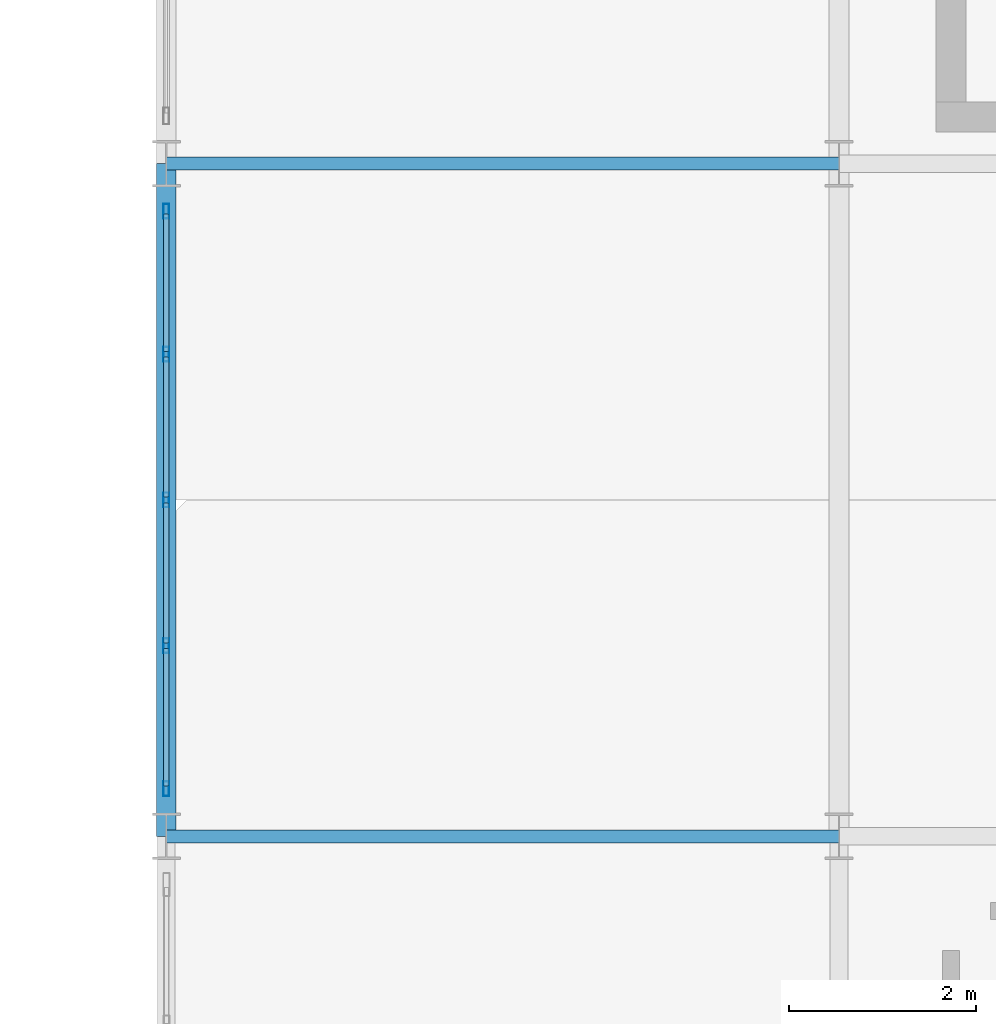
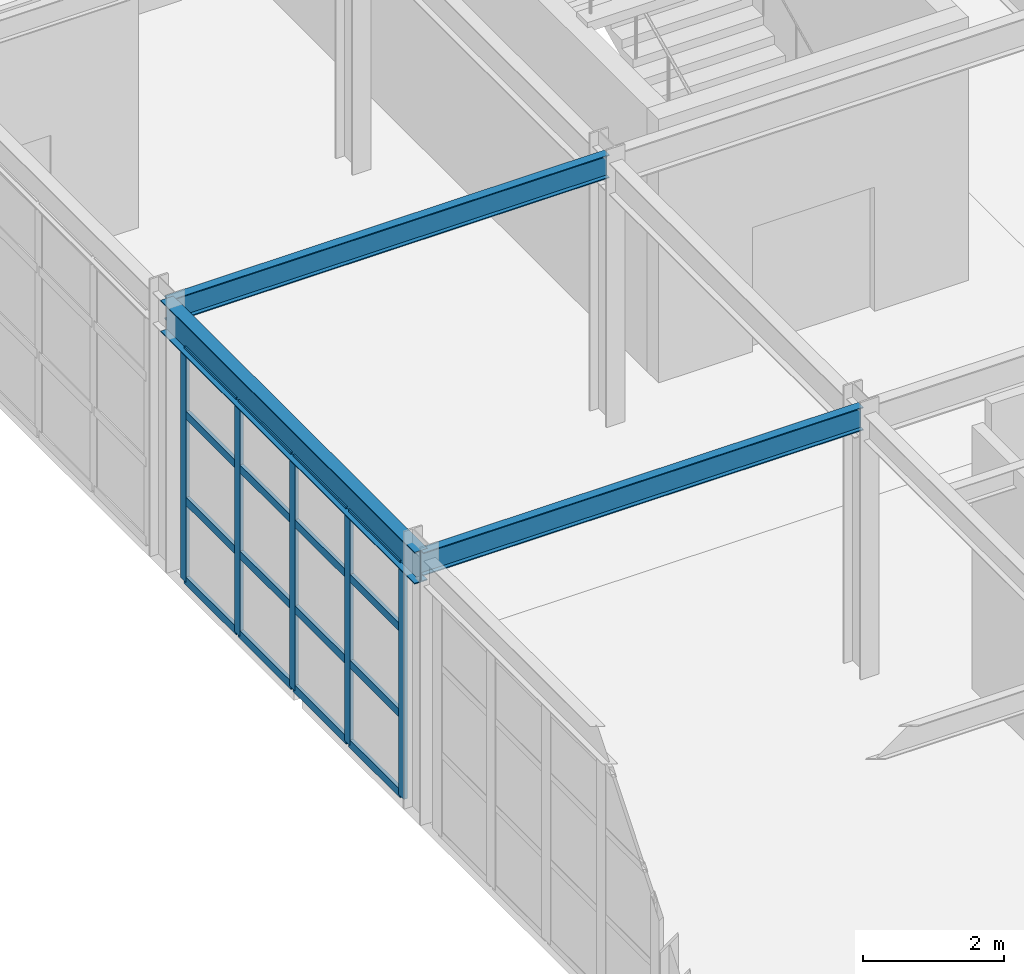
# One storey, part 37 of 121: 21 members, 3 beams, 1 element without a shape of its own.
"""IFC4 building model written with IfcOpenShell, lengths in metres."""

from ifc_helpers import new_model, si_unit, direction, frame, origin, origin_2d, place, context, subcontext, project, spatial, hollow_rectangle, i_section, extrude, material, layer, layer_set, material_profile, profile_set, type_object, element, aggregate, save


model = new_model("IFC4")

# Units and contexts
model_context = context("Model", 3, precision=1e-05, world=origin(), true_north=direction((0.0, 1.0)))
body_context = subcontext(model_context, "Body", "Model", "MODEL_VIEW")
ifc_project = project(units=[si_unit("LENGTHUNIT", "METRE"), si_unit("AREAUNIT", "SQUARE_METRE"), si_unit("VOLUMEUNIT", "CUBIC_METRE"), si_unit("PLANEANGLEUNIT", "RADIAN"), si_unit("MASSUNIT", "GRAM", prefix="KILO")], contexts=[model_context])

# Site, building, storey
site_placement = place(None, origin())
site = spatial("IfcSite", under=ifc_project, at=site_placement, CompositionType="ELEMENT")
building_placement = place(site_placement, origin())
building = spatial("IfcBuilding", under=site, at=building_placement, Name="Solvadek Multi-Sports Hall", CompositionType="ELEMENT")
storey_placement = place(building_placement, frame((0.0, 0.0, 4.800048828125)))
storey = spatial("IfcBuildingStorey", under=building, at=storey_placement, Name="L01", CompositionType="ELEMENT", Elevation=4.800048828125)

# Curtain wall, members
ifc_material_1 = material(Name="Anodised aluminium", Category="aluminium")
ifc_layer = layer(ifc_material_1, 0.159912109375, Name="Anodised aluminium")
ifc_layer_set = layer_set([ifc_layer], Name="Anodised aluminium")
curtain_wall_type = type_object("IfcCurtainWallType", Name="ENV-CW-624X402", PredefinedType="USERDEFINED", material=ifc_layer_set)
curtain_wall_placement = place(storey_placement, origin())
curtain_wall = element("IfcCurtainWall", 1, at=curtain_wall_placement, inside=storey, type_object=curtain_wall_type, Name="L01 Perimeter Bay Curtain Wall #195", ObjectType="CURTAIN WALL", PredefinedType="USERDEFINED")
ifc_material_profile_1 = material_profile(ifc_material_1, hollow_rectangle(XDim=0.06005859375, YDim=0.159912109375, WallThickness=0.00390625, at=origin_2d()), Name="ALU-M 160x60x4")
ifc_profile_set_1 = profile_set([ifc_material_profile_1], Name="Anodised aluminium")
member_type_1 = type_object("IfcMemberType", Name="ENV-CWM-01", PredefinedType="MULLION", material=ifc_profile_set_1)
member_1_placement = place(storey_placement, frame((57.60009765625, 35.31005859375, 0.0), z_axis=(0.0, 0.0, 1.0), x_axis=(-1.0, 0.0, 0.0)))
member_1 = element("IfcMember", 2, at=member_1_placement, type_object=member_type_1, Name="CW-55 mullion 1", PredefinedType="MULLION", context=body_context, shape_type="SweptSolid", body=[
    extrude(hollow_rectangle(XDim=0.06005859375, YDim=0.159912109375, WallThickness=0.00390625, at=origin_2d()), origin(), (0.0, 0.0, 1.0), 4.02490234375),
])
member_2_placement = place(storey_placement, frame((57.60009765625, 36.840087890625, 0.0), z_axis=(0.0, 0.0, 1.0), x_axis=(-1.0, 0.0, 0.0)))
member_2 = element("IfcMember", 3, at=member_2_placement, type_object=member_type_1, Name="CW-55 mullion 2", PredefinedType="MULLION", context=body_context, shape_type="SweptSolid", body=[
    extrude(hollow_rectangle(XDim=0.06005859375, YDim=0.159912109375, WallThickness=0.00390625, at=origin_2d()), origin(), (0.0, 0.0, 1.0), 4.02490234375),
])
member_3_placement = place(storey_placement, frame((57.60009765625, 38.39990234375, 0.0), z_axis=(0.0, 0.0, 1.0), x_axis=(-1.0, 0.0, 0.0)))
member_3 = element("IfcMember", 4, at=member_3_placement, type_object=member_type_1, Name="CW-55 mullion 3", PredefinedType="MULLION", context=body_context, shape_type="SweptSolid", body=[
    extrude(hollow_rectangle(XDim=0.06005859375, YDim=0.159912109375, WallThickness=0.00390625, at=origin_2d()), origin(), (0.0, 0.0, 1.0), 4.02490234375),
])
member_4_placement = place(storey_placement, frame((57.60009765625, 39.9599609375, 0.0), z_axis=(0.0, 0.0, 1.0), x_axis=(-1.0, 0.0, 0.0)))
member_4 = element("IfcMember", 5, at=member_4_placement, type_object=member_type_1, Name="CW-55 mullion 4", PredefinedType="MULLION", context=body_context, shape_type="SweptSolid", body=[
    extrude(hollow_rectangle(XDim=0.06005859375, YDim=0.159912109375, WallThickness=0.00390625, at=origin_2d()), origin(), (0.0, 0.0, 1.0), 4.02490234375),
])
member_5_placement = place(storey_placement, frame((57.60009765625, 41.489990234375, 0.0), z_axis=(0.0, 0.0, 1.0), x_axis=(-1.0, 0.0, 0.0)))
member_5 = element("IfcMember", 6, at=member_5_placement, type_object=member_type_1, Name="CW-55 mullion 5", PredefinedType="MULLION", context=body_context, shape_type="SweptSolid", body=[
    extrude(hollow_rectangle(XDim=0.06005859375, YDim=0.159912109375, WallThickness=0.00390625, at=origin_2d()), origin(), (0.0, 0.0, 1.0), 4.02490234375),
])
ifc_material_profile_2 = material_profile(ifc_material_1, hollow_rectangle(XDim=0.06005859375, YDim=0.139892578125, WallThickness=0.00390625, at=origin_2d()), Name="ALU-T 140x60x4")
ifc_profile_set_2 = profile_set([ifc_material_profile_2], Name="Anodised aluminium")
member_type_2 = type_object("IfcMemberType", Name="ENV-CWT-02", PredefinedType="USERDEFINED", material=ifc_profile_set_2)
member_6_placement = place(storey_placement, frame((57.60009765625, 35.340087890625, 0.030029296875), z_axis=(0.0, 1.0, 0.0), x_axis=(-1.0, 0.0, 0.0)))
member_6 = element("IfcMember", 7, at=member_6_placement, type_object=member_type_2, Name="CW-55 transom 1.1", ObjectType="TRANSOM", PredefinedType="USERDEFINED", context=body_context, shape_type="SweptSolid", body=[
    extrude(hollow_rectangle(XDim=0.06005859375, YDim=0.139892578125, WallThickness=0.00390625, at=origin_2d()), origin(), (0.0, 0.0, 1.0), 1.469970703125),
])
member_7_placement = place(storey_placement, frame((57.60009765625, 35.340087890625, 1.408935546875), z_axis=(0.0, 1.0, 0.0), x_axis=(-1.0, 0.0, 0.0)))
member_7 = element("IfcMember", 8, at=member_7_placement, type_object=member_type_2, Name="CW-55 transom 1.2", ObjectType="TRANSOM", PredefinedType="USERDEFINED", context=body_context, shape_type="SweptSolid", body=[
    extrude(hollow_rectangle(XDim=0.06005859375, YDim=0.139892578125, WallThickness=0.00390625, at=origin_2d()), origin(), (0.0, 0.0, 1.0), 1.469970703125),
])
member_8_placement = place(storey_placement, frame((57.60009765625, 35.340087890625, 2.89794921875), z_axis=(0.0, 1.0, 0.0), x_axis=(-1.0, 0.0, 0.0)))
member_8 = element("IfcMember", 9, at=member_8_placement, type_object=member_type_2, Name="CW-55 transom 1.3", ObjectType="TRANSOM", PredefinedType="USERDEFINED", context=body_context, shape_type="SweptSolid", body=[
    extrude(hollow_rectangle(XDim=0.06005859375, YDim=0.139892578125, WallThickness=0.00390625, at=origin_2d()), origin(), (0.0, 0.0, 1.0), 1.469970703125),
])
member_9_placement = place(storey_placement, frame((57.60009765625, 35.340087890625, 3.994873046875), z_axis=(0.0, 1.0, 0.0), x_axis=(-1.0, 0.0, 0.0)))
member_9 = element("IfcMember", 10, at=member_9_placement, type_object=member_type_2, Name="CW-55 transom 1.4", ObjectType="TRANSOM", PredefinedType="USERDEFINED", context=body_context, shape_type="SweptSolid", body=[
    extrude(hollow_rectangle(XDim=0.06005859375, YDim=0.139892578125, WallThickness=0.00390625, at=origin_2d()), origin(), (0.0, 0.0, 1.0), 1.469970703125),
])
member_10_placement = place(storey_placement, frame((57.60009765625, 36.8701171875, 0.030029296875), z_axis=(0.0, 1.0, 0.0), x_axis=(-1.0, 0.0, 0.0)))
member_10 = element("IfcMember", 11, at=member_10_placement, type_object=member_type_2, Name="CW-55 transom 2.1", ObjectType="TRANSOM", PredefinedType="USERDEFINED", context=body_context, shape_type="SweptSolid", body=[
    extrude(hollow_rectangle(XDim=0.06005859375, YDim=0.139892578125, WallThickness=0.00390625, at=origin_2d()), origin(), (0.0, 0.0, 1.0), 1.5),
])
member_11_placement = place(storey_placement, frame((57.60009765625, 36.8701171875, 1.408935546875), z_axis=(0.0, 1.0, 0.0), x_axis=(-1.0, 0.0, 0.0)))
member_11 = element("IfcMember", 12, at=member_11_placement, type_object=member_type_2, Name="CW-55 transom 2.2", ObjectType="TRANSOM", PredefinedType="USERDEFINED", context=body_context, shape_type="SweptSolid", body=[
    extrude(hollow_rectangle(XDim=0.06005859375, YDim=0.139892578125, WallThickness=0.00390625, at=origin_2d()), origin(), (0.0, 0.0, 1.0), 1.5),
])
member_12_placement = place(storey_placement, frame((57.60009765625, 36.8701171875, 2.89794921875), z_axis=(0.0, 1.0, 0.0), x_axis=(-1.0, 0.0, 0.0)))
member_12 = element("IfcMember", 13, at=member_12_placement, type_object=member_type_2, Name="CW-55 transom 2.3", ObjectType="TRANSOM", PredefinedType="USERDEFINED", context=body_context, shape_type="SweptSolid", body=[
    extrude(hollow_rectangle(XDim=0.06005859375, YDim=0.139892578125, WallThickness=0.00390625, at=origin_2d()), origin(), (0.0, 0.0, 1.0), 1.5),
])
member_13_placement = place(storey_placement, frame((57.60009765625, 36.8701171875, 3.994873046875), z_axis=(0.0, 1.0, 0.0), x_axis=(-1.0, 0.0, 0.0)))
member_13 = element("IfcMember", 14, at=member_13_placement, type_object=member_type_2, Name="CW-55 transom 2.4", ObjectType="TRANSOM", PredefinedType="USERDEFINED", context=body_context, shape_type="SweptSolid", body=[
    extrude(hollow_rectangle(XDim=0.06005859375, YDim=0.139892578125, WallThickness=0.00390625, at=origin_2d()), origin(), (0.0, 0.0, 1.0), 1.5),
])
member_14_placement = place(storey_placement, frame((57.60009765625, 38.429931640625, 0.030029296875), z_axis=(0.0, 1.0, 0.0), x_axis=(-1.0, 0.0, 0.0)))
member_14 = element("IfcMember", 15, at=member_14_placement, type_object=member_type_2, Name="CW-55 transom 3.1", ObjectType="TRANSOM", PredefinedType="USERDEFINED", context=body_context, shape_type="SweptSolid", body=[
    extrude(hollow_rectangle(XDim=0.06005859375, YDim=0.139892578125, WallThickness=0.00390625, at=origin_2d()), origin(), (0.0, 0.0, 1.0), 1.5),
])
member_15_placement = place(storey_placement, frame((57.60009765625, 38.429931640625, 1.408935546875), z_axis=(0.0, 1.0, 0.0), x_axis=(-1.0, 0.0, 0.0)))
member_15 = element("IfcMember", 16, at=member_15_placement, type_object=member_type_2, Name="CW-55 transom 3.2", ObjectType="TRANSOM", PredefinedType="USERDEFINED", context=body_context, shape_type="SweptSolid", body=[
    extrude(hollow_rectangle(XDim=0.06005859375, YDim=0.139892578125, WallThickness=0.00390625, at=origin_2d()), origin(), (0.0, 0.0, 1.0), 1.5),
])
member_16_placement = place(storey_placement, frame((57.60009765625, 38.429931640625, 2.89794921875), z_axis=(0.0, 1.0, 0.0), x_axis=(-1.0, 0.0, 0.0)))
member_16 = element("IfcMember", 17, at=member_16_placement, type_object=member_type_2, Name="CW-55 transom 3.3", ObjectType="TRANSOM", PredefinedType="USERDEFINED", context=body_context, shape_type="SweptSolid", body=[
    extrude(hollow_rectangle(XDim=0.06005859375, YDim=0.139892578125, WallThickness=0.00390625, at=origin_2d()), origin(), (0.0, 0.0, 1.0), 1.5),
])
member_17_placement = place(storey_placement, frame((57.60009765625, 38.429931640625, 3.994873046875), z_axis=(0.0, 1.0, 0.0), x_axis=(-1.0, 0.0, 0.0)))
member_17 = element("IfcMember", 18, at=member_17_placement, type_object=member_type_2, Name="CW-55 transom 3.4", ObjectType="TRANSOM", PredefinedType="USERDEFINED", context=body_context, shape_type="SweptSolid", body=[
    extrude(hollow_rectangle(XDim=0.06005859375, YDim=0.139892578125, WallThickness=0.00390625, at=origin_2d()), origin(), (0.0, 0.0, 1.0), 1.5),
])
member_18_placement = place(storey_placement, frame((57.60009765625, 39.989990234375, 0.030029296875), z_axis=(0.0, 1.0, 0.0), x_axis=(-1.0, 0.0, 0.0)))
member_18 = element("IfcMember", 19, at=member_18_placement, type_object=member_type_2, Name="CW-55 transom 4.1", ObjectType="TRANSOM", PredefinedType="USERDEFINED", context=body_context, shape_type="SweptSolid", body=[
    extrude(hollow_rectangle(XDim=0.06005859375, YDim=0.139892578125, WallThickness=0.00390625, at=origin_2d()), origin(), (0.0, 0.0, 1.0), 1.469970703125),
])
member_19_placement = place(storey_placement, frame((57.60009765625, 39.989990234375, 1.408935546875), z_axis=(0.0, 1.0, 0.0), x_axis=(-1.0, 0.0, 0.0)))
member_19 = element("IfcMember", 20, at=member_19_placement, type_object=member_type_2, Name="CW-55 transom 4.2", ObjectType="TRANSOM", PredefinedType="USERDEFINED", context=body_context, shape_type="SweptSolid", body=[
    extrude(hollow_rectangle(XDim=0.06005859375, YDim=0.139892578125, WallThickness=0.00390625, at=origin_2d()), origin(), (0.0, 0.0, 1.0), 1.469970703125),
])
member_20_placement = place(storey_placement, frame((57.60009765625, 39.989990234375, 2.89794921875), z_axis=(0.0, 1.0, 0.0), x_axis=(-1.0, 0.0, 0.0)))
member_20 = element("IfcMember", 21, at=member_20_placement, type_object=member_type_2, Name="CW-55 transom 4.3", ObjectType="TRANSOM", PredefinedType="USERDEFINED", context=body_context, shape_type="SweptSolid", body=[
    extrude(hollow_rectangle(XDim=0.06005859375, YDim=0.139892578125, WallThickness=0.00390625, at=origin_2d()), origin(), (0.0, 0.0, 1.0), 1.469970703125),
])
member_21_placement = place(storey_placement, frame((57.60009765625, 39.989990234375, 3.994873046875), z_axis=(0.0, 1.0, 0.0), x_axis=(-1.0, 0.0, 0.0)))
member_21 = element("IfcMember", 22, at=member_21_placement, type_object=member_type_2, Name="CW-55 transom 4.4", ObjectType="TRANSOM", PredefinedType="USERDEFINED", context=body_context, shape_type="SweptSolid", body=[
    extrude(hollow_rectangle(XDim=0.06005859375, YDim=0.139892578125, WallThickness=0.00390625, at=origin_2d()), origin(), (0.0, 0.0, 1.0), 1.469970703125),
])
aggregate(curtain_wall, [member_1, member_2, member_3, member_4, member_5, member_6, member_7, member_8, member_9, member_10, member_11, member_12, member_13, member_14, member_15, member_16, member_17, member_18, member_19, member_20, member_21])

# Beams
ifc_material_2 = material(Name="Steel E350 (350 MPa)", Category="steel")
ifc_material_profile_3 = material_profile(ifc_material_2, i_section(OverallWidth=0.139892578125, OverallDepth=0.39990234375, WebThickness=0.0087890625, FlangeThickness=0.01611328125, at=origin_2d()), Name="ISMB 400")
ifc_profile_set_3 = profile_set([ifc_material_profile_3], Name="Steel E350 (350 MPa)")
beam_type_1 = type_object("IfcBeamType", Name="STR-BM-ISMB400", PredefinedType="BEAM", material=ifc_profile_set_3)
for number, where, z_axis, x_axis, name in (
    (23, (57.60009765625, 34.800048828125, 4.35986328125), (1.0, 0.0, 0.0), (0.0, 1.0, 0.0), "L01 Girder B-10 #986"),
    (24, (57.60009765625, 42.0, 4.35986328125), (1.0, 0.0, 0.0), (0.0, 1.0, 0.0), "L01 Girder B-10 #992"),
):
    element("IfcBeam", number, at=place(storey_placement, frame(where, z_axis=z_axis, x_axis=x_axis)), inside=storey, type_object=beam_type_1, Name=name, PredefinedType="BEAM", context=body_context, shape_type="SweptSolid", body=[
        extrude(i_section(OverallWidth=0.139892578125, OverallDepth=0.39990234375, WebThickness=0.0087890625, FlangeThickness=0.01611328125, at=origin_2d()), origin(), (0.0, 0.0, 1.0), 7.199951171875),
    ])
ifc_material_profile_4 = material_profile(ifc_material_2, i_section(OverallWidth=0.2099609375, OverallDepth=0.550048828125, WebThickness=0.010986328125, FlangeThickness=0.01708984375, at=origin_2d()), Name="NPB 550")
ifc_profile_set_4 = profile_set([ifc_material_profile_4], Name="Steel E350 (350 MPa)")
beam_type_2 = type_object("IfcBeamType", Name="STR-BM-NPB550", PredefinedType="BEAM", material=ifc_profile_set_4)
beam_placement = place(storey_placement, frame((57.60009765625, 34.800048828125, 4.284912109375), z_axis=(0.0, 1.0, 0.0), x_axis=(-1.0, 0.0, 0.0)))
element("IfcBeam", 25, at=beam_placement, inside=storey, type_object=beam_type_2, Name="L01 Girder B-05 #1214", PredefinedType="BEAM", context=body_context, shape_type="SweptSolid", body=[
    extrude(i_section(OverallWidth=0.2099609375, OverallDepth=0.550048828125, WebThickness=0.010986328125, FlangeThickness=0.01708984375, at=origin_2d()), origin(), (0.0, 0.0, 1.0), 7.199951171875),
])

save(model, "model.ifc")
